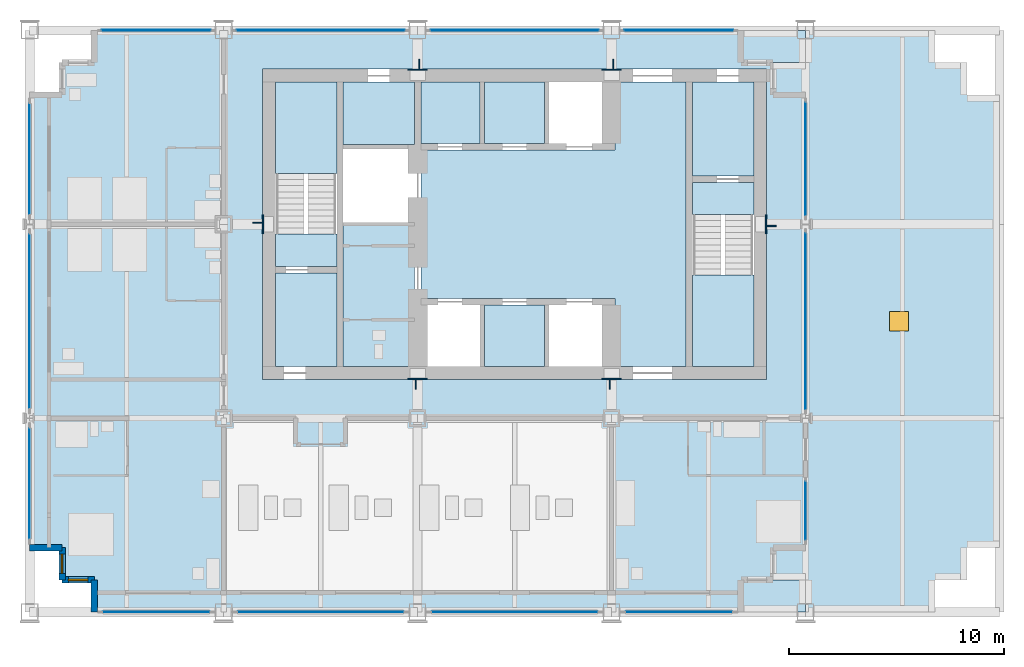
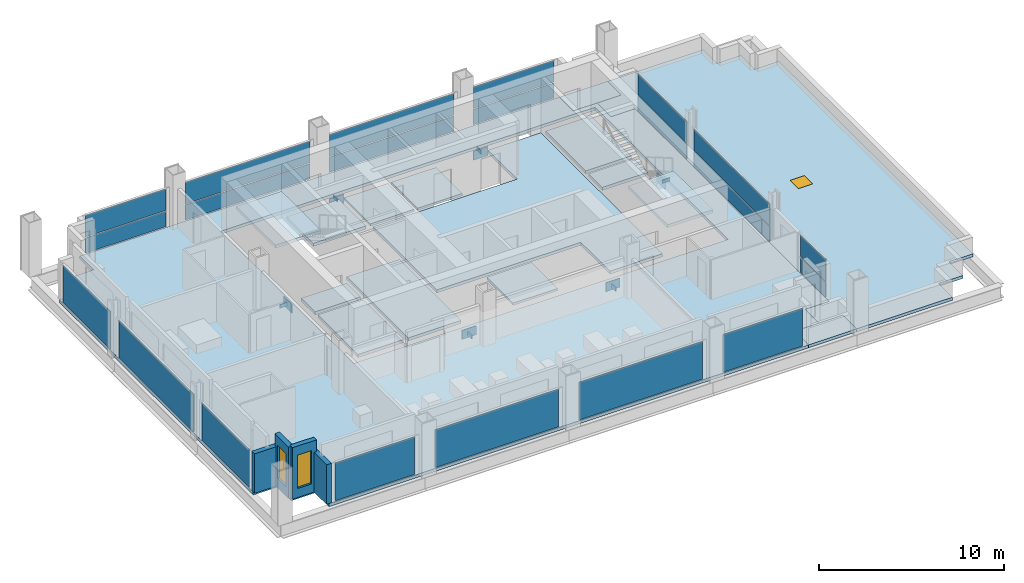
# One storey, part 5 of 12: 33 plates, 16 slabs, 4 walls, 3 windows, 3 openings, 16 elements without a shape of their own.
"""IFC4 building model written with IfcOpenShell, lengths in metres."""

from ifc_helpers import new_model, si_unit, direction, frame, frame_2d, origin, origin_2d, place, context, subcontext, project, spatial, polyline, rectangle, outline, extrude, material, layer, layer_set, type_object, element, fill, aggregate, save


model = new_model("IFC4")

# Units and contexts
model_context = context("Model", 3, precision=1e-05, world=origin(), true_north=direction((0.0, 1.0)))
body_context = subcontext(model_context, "Body", "Model", "MODEL_VIEW")
ifc_project = project(units=[si_unit("LENGTHUNIT", "METRE"), si_unit("AREAUNIT", "SQUARE_METRE"), si_unit("VOLUMEUNIT", "CUBIC_METRE"), si_unit("PLANEANGLEUNIT", "RADIAN"), si_unit("MASSUNIT", "GRAM", prefix="KILO")], contexts=[model_context])

# Site, building, storey
site_placement = place(None, origin())
site = spatial("IfcSite", under=ifc_project, at=site_placement, CompositionType="ELEMENT")
building_placement = place(site_placement, origin())
building = spatial("IfcBuilding", under=site, at=building_placement, Name="Loomwork Tower", CompositionType="ELEMENT")
storey_placement = place(building_placement, frame((0.0, 0.0, 226.60009765625)))
storey = spatial("IfcBuildingStorey", under=building, at=storey_placement, Name="L62", CompositionType="ELEMENT", Elevation=226.60009765625)

# Slabs
ifc_material_1 = material(Name="Concrete 5000 psi (34 MPa) on composite metal deck", Category="concrete")
ifc_layer_1 = layer(ifc_material_1, 0.199951171875)
ifc_layer_set_1 = layer_set([ifc_layer_1], Name="Floor slab 200")
slab_type_1 = type_object("IfcSlabType", Name="Floor slab 200", PredefinedType="FLOOR", material=ifc_layer_set_1)
slab_1_placement = place(storey_placement, frame((0.0, 0.0, -0.2001953125)))
element("IfcSlab", 1, at=slab_1_placement, inside=storey, type_object=slab_type_1, Name="Floor slab L62", PredefinedType="FLOOR", context=body_context, shape_type="SweptSolid", body=[
    extrude(outline(polyline([(3.0, 1.5), (1.5, 1.5), (1.5, 3.0), (0.0, 3.0), (0.0, 24.0), (1.5, 24.0), (1.5, 25.5), (3.0, 25.5), (3.0, 27.0), (33.0, 27.0), (33.0, 25.5), (34.5, 25.5), (34.5, 24.0), (36.0, 24.0), (36.0, 3.0), (34.5, 3.0), (34.5, 1.5), (33.0, 1.5), (33.0, 0.0), (3.0, 0.0), (3.0, 1.5)]), holes=[polyline([(10.800048828125, 11.39990234375), (10.800048828125, 11.39990234375), (10.800048828125, 10.800048828125), (34.199951171875, 10.800048828125), (34.199951171875, 11.39990234375), (34.199951171875, 11.39990234375), (34.199951171875, 24.60009765625), (34.199951171875, 25.199951171875), (10.800048828125, 25.199951171875), (10.800048828125, 24.60009765625), (10.800048828125, 11.39990234375)])]), origin(), (0.0, 0.0, 1.0), 0.2001953125),
])
slab_2_placement = place(storey_placement, frame((0.0, 0.0, -0.2001953125)))
element("IfcSlab", 2, at=slab_2_placement, inside=storey, type_object=slab_type_1, Name="Floor slab L62", PredefinedType="FLOOR", context=body_context, shape_type="SweptSolid", body=[
    extrude(outline(polyline([(30.449951171875, 24.60009765625), (30.449951171875, 11.39990234375), (27.14990234375, 11.39990234375), (27.14990234375, 14.25), (27.14990234375, 14.550048828125), (18.14990234375, 14.550048828125), (18.14990234375, 21.449951171875), (27.14990234375, 21.449951171875), (27.14990234375, 21.75), (27.14990234375, 24.60009765625), (30.449951171875, 24.60009765625)])), origin(), (0.0, 0.0, 1.0), 0.2001953125),
])
slab_3_placement = place(storey_placement, frame((0.0, 0.0, -0.2001953125)))
element("IfcSlab", 3, at=slab_3_placement, inside=storey, type_object=slab_type_1, Name="Floor slab L62", PredefinedType="FLOOR", context=body_context, shape_type="SweptSolid", body=[
    extrude(outline(polyline([(14.550048828125, 11.39990234375), (14.550048828125, 18.074951171875), (17.85009765625, 18.074951171875), (17.85009765625, 11.39990234375), (14.550048828125, 11.39990234375)])), origin(), (0.0, 0.0, 1.0), 0.2001953125),
])
slab_4_placement = place(storey_placement, frame((0.0, 0.0, -0.2001953125)))
element("IfcSlab", 4, at=slab_4_placement, inside=storey, type_object=slab_type_1, Name="Floor slab L62", PredefinedType="FLOOR", context=body_context, shape_type="SweptSolid", body=[
    extrude(outline(polyline([(33.60009765625, 20.25), (30.75, 20.25), (30.75, 24.60009765625), (33.60009765625, 24.60009765625), (33.60009765625, 20.25)])), origin(), (0.0, 0.0, 1.0), 0.2001953125),
])
slab_5_placement = place(storey_placement, frame((0.0, 0.0, -0.2001953125)))
element("IfcSlab", 5, at=slab_5_placement, inside=storey, type_object=slab_type_1, Name="Floor slab L62", PredefinedType="FLOOR", context=body_context, shape_type="SweptSolid", body=[
    extrude(outline(polyline([(14.25, 15.75), (14.25, 11.39990234375), (11.39990234375, 11.39990234375), (11.39990234375, 15.75), (14.25, 15.75)])), origin(), (0.0, 0.0, 1.0), 0.2001953125),
])
slab_6_placement = place(storey_placement, frame((0.0, 0.0, -0.2001953125)))
element("IfcSlab", 6, at=slab_6_placement, inside=storey, type_object=slab_type_1, Name="Floor slab L62", PredefinedType="FLOOR", context=body_context, shape_type="SweptSolid", body=[
    extrude(outline(polyline([(14.550048828125, 21.699951171875), (14.550048828125, 24.60009765625), (17.85009765625, 24.60009765625), (17.85009765625, 21.699951171875), (14.550048828125, 21.699951171875)])), origin(), (0.0, 0.0, 1.0), 0.2001953125),
])

# Curtain wall, plate
ifc_material_2 = material(Name="Aluminium curtain wall frame", Category="aluminium")
curtain_wall_type_1 = type_object("IfcCurtainWallType", Name="Outer skin glazing suites", PredefinedType="NOTDEFINED", material=ifc_material_2)
curtain_wall_1_placement = place(storey_placement, origin())
curtain_wall_1 = element("IfcCurtainWall", 7, at=curtain_wall_1_placement, inside=storey, type_object=curtain_wall_type_1, Name="Outer skin glazing suites cw/S-0", PredefinedType="NOTDEFINED")
ifc_material_3 = material(Name="Clear laminated glass", Category="glass")
ifc_layer_2 = layer(ifc_material_3, 0.02392578125)
ifc_layer_set_2 = layer_set([ifc_layer_2], Name="Outer skin glazing suites panel")
plate_type_1 = type_object("IfcPlateType", Name="Outer skin glazing suites panel", PredefinedType="CURTAIN_PANEL", material=ifc_layer_set_2)
plate_1_placement = place(storey_placement, frame((5.875, 0.0, 0.06494140625), z_axis=(0.0, 0.0, 1.0), x_axis=(1.0, 0.0, 0.0)))
plate_1 = element("IfcPlate", 8, at=plate_1_placement, type_object=plate_type_1, Name="CW2 panel 1.1", PredefinedType="CURTAIN_PANEL", context=body_context, shape_type="SweptSolid", body=[
    extrude(rectangle(XDim=4.949951171875, YDim=0.02392578125, at=origin_2d()), origin(), (0.0, 0.0, 1.0), 2.490234375),
])
aggregate(curtain_wall_1, [plate_1])

curtain_wall_2_placement = place(storey_placement, origin())
curtain_wall_2 = element("IfcCurtainWall", 9, at=curtain_wall_2_placement, inside=storey, type_object=curtain_wall_type_1, Name="Outer skin glazing suites cw/S-9", PredefinedType="NOTDEFINED")
plate_2_placement = place(storey_placement, frame((13.5, 0.0, 0.06494140625), z_axis=(0.0, 0.0, 1.0), x_axis=(1.0, 0.0, 0.0)))
plate_2 = element("IfcPlate", 10, at=plate_2_placement, type_object=plate_type_1, Name="CW2 panel 1.1", PredefinedType="CURTAIN_PANEL", context=body_context, shape_type="SweptSolid", body=[
    extrude(rectangle(XDim=7.699951171875, YDim=0.02392578125, at=origin_2d()), origin(), (0.0, 0.0, 1.0), 2.490234375),
])
aggregate(curtain_wall_2, [plate_2])

curtain_wall_3_placement = place(storey_placement, origin())
curtain_wall_3 = element("IfcCurtainWall", 11, at=curtain_wall_3_placement, inside=storey, type_object=curtain_wall_type_1, Name="Outer skin glazing suites cw/S-18", PredefinedType="NOTDEFINED")
plate_3_placement = place(storey_placement, frame((22.5, 0.0, 0.06494140625), z_axis=(0.0, 0.0, 1.0), x_axis=(1.0, 0.0, 0.0)))
plate_3 = element("IfcPlate", 12, at=plate_3_placement, type_object=plate_type_1, Name="CW2 panel 1.1", PredefinedType="CURTAIN_PANEL", context=body_context, shape_type="SweptSolid", body=[
    extrude(rectangle(XDim=7.699951171875, YDim=0.02392578125, at=origin_2d()), origin(), (0.0, 0.0, 1.0), 2.490234375),
])
aggregate(curtain_wall_3, [plate_3])

curtain_wall_4_placement = place(storey_placement, origin())
curtain_wall_4 = element("IfcCurtainWall", 13, at=curtain_wall_4_placement, inside=storey, type_object=curtain_wall_type_1, Name="Outer skin glazing suites cw/S-27", PredefinedType="NOTDEFINED")
plate_4_placement = place(storey_placement, frame((30.125, 0.0, 0.06494140625), z_axis=(0.0, 0.0, 1.0), x_axis=(1.0, 0.0, 0.0)))
plate_4 = element("IfcPlate", 14, at=plate_4_placement, type_object=plate_type_1, Name="CW2 panel 1.1", PredefinedType="CURTAIN_PANEL", context=body_context, shape_type="SweptSolid", body=[
    extrude(rectangle(XDim=4.949951171875, YDim=0.02392578125, at=origin_2d()), origin(), (0.0, 0.0, 1.0), 2.490234375),
])
aggregate(curtain_wall_4, [plate_4])

curtain_wall_5_placement = place(storey_placement, origin())
curtain_wall_5 = element("IfcCurtainWall", 15, at=curtain_wall_5_placement, inside=storey, type_object=curtain_wall_type_1, Name="Outer skin glazing suites cw/W-0", PredefinedType="NOTDEFINED")
plate_5_placement = place(storey_placement, frame((0.0, 5.969482421875, 0.06494140625), z_axis=(0.0, 0.0, 1.0), x_axis=(0.0, -1.0, 0.0)))
plate_5 = element("IfcPlate", 16, at=plate_5_placement, type_object=plate_type_1, Name="CW2 panel 1.1", PredefinedType="CURTAIN_PANEL", context=body_context, shape_type="SweptSolid", body=[
    extrude(rectangle(XDim=5.13916015625, YDim=0.02392578125, at=origin_2d()), origin(), (0.0, 0.0, 1.0), 2.490234375),
])
aggregate(curtain_wall_5, [plate_5])

curtain_wall_6_placement = place(storey_placement, origin())
curtain_wall_6 = element("IfcCurtainWall", 17, at=curtain_wall_6_placement, inside=storey, type_object=curtain_wall_type_1, Name="Outer skin glazing suites cw/W-9", PredefinedType="NOTDEFINED")
plate_6_placement = place(storey_placement, frame((0.0, 13.5, 0.06494140625), z_axis=(0.0, 0.0, 1.0), x_axis=(0.0, -1.0, 0.0)))
plate_6 = element("IfcPlate", 18, at=plate_6_placement, type_object=plate_type_1, Name="CW2 panel 1.1", PredefinedType="CURTAIN_PANEL", context=body_context, shape_type="SweptSolid", body=[
    extrude(rectangle(XDim=8.078369140625, YDim=0.02392578125, at=origin_2d()), origin(), (0.0, 0.0, 1.0), 2.490234375),
])
aggregate(curtain_wall_6, [plate_6])

curtain_wall_7_placement = place(storey_placement, origin())
curtain_wall_7 = element("IfcCurtainWall", 19, at=curtain_wall_7_placement, inside=storey, type_object=curtain_wall_type_1, Name="Outer skin glazing suites cw/W-18", PredefinedType="NOTDEFINED")
plate_7_placement = place(storey_placement, frame((0.0, 21.030517578125, 0.06494140625), z_axis=(0.0, 0.0, 1.0), x_axis=(0.0, -1.0, 0.0)))
plate_7 = element("IfcPlate", 20, at=plate_7_placement, type_object=plate_type_1, Name="CW2 panel 1.1", PredefinedType="CURTAIN_PANEL", context=body_context, shape_type="SweptSolid", body=[
    extrude(rectangle(XDim=5.13916015625, YDim=0.02392578125, at=origin_2d()), origin(), (0.0, 0.0, 1.0), 2.490234375),
])
aggregate(curtain_wall_7, [plate_7])

# Slabs
ifc_material_4 = material(Name="Concrete 5000 psi (34 MPa) on composite metal deck", Category="concrete")
ifc_layer_3 = layer(ifc_material_4, 0.199951171875)
ifc_layer_set_3 = layer_set([ifc_layer_3], Name="Roof slab 200")
slab_type_2 = type_object("IfcSlabType", Name="Roof slab 200", PredefinedType="ROOF", material=ifc_layer_set_3)
slab_7_placement = place(storey_placement, frame((0.0, 0.0, -0.2001953125)))
element("IfcSlab", 21, at=slab_7_placement, inside=storey, type_object=slab_type_2, Name="Setback roof (maintenance access only) L61 part 1", PredefinedType="ROOF", context=body_context, shape_type="SweptSolid", body=[
    extrude(outline(polyline([(36.0, 0.0), (33.0, 0.0), (33.0, 1.5), (36.0, 1.5), (36.0, 0.0)])), origin(), (0.0, 0.0, 1.0), 0.2001953125),
])
slab_8_placement = place(storey_placement, frame((0.0, 0.0, -0.2001953125)))
element("IfcSlab", 22, at=slab_8_placement, inside=storey, type_object=slab_type_2, Name="Setback roof (maintenance access only) L61 part 2", PredefinedType="ROOF", context=body_context, shape_type="SweptSolid", body=[
    extrude(outline(polyline([(36.0, 25.5), (33.0, 25.5), (33.0, 27.0), (36.0, 27.0), (36.0, 25.5)])), origin(), (0.0, 0.0, 1.0), 0.2001953125),
])

# Slab, opening, window
slab_9_placement = place(storey_placement, frame((0.0, 0.0, -0.2001953125)))
slab_9 = element("IfcSlab", 23, at=slab_9_placement, inside=storey, type_object=slab_type_2, Name="Setback roof (maintenance access only) L61 part 3", PredefinedType="ROOF", context=body_context, shape_type="SweptSolid", body=[
    extrude(outline(polyline([(34.5, 1.5), (34.5, 3.0), (36.0, 3.0), (36.0, 24.0), (34.5, 24.0), (34.5, 25.5), (36.0, 25.5), (36.0, 27.0), (42.0, 27.0), (42.0, 25.5), (43.5, 25.5), (43.5, 24.0), (45.0, 24.0), (45.0, 3.0), (43.5, 3.0), (43.5, 1.5), (42.0, 1.5), (42.0, 0.0), (36.0, 0.0), (36.0, 1.5), (34.5, 1.5)])), origin(), (0.0, 0.0, 1.0), 0.2001953125),
])
opening_1_placement = place(slab_9_placement, frame((40.337890625, 13.5, 0.0)))
opening_1 = element("IfcOpeningElement", 24, at=opening_1_placement, cuts=slab_9, Name="Opening RH1", PredefinedType="OPENING", context=body_context, shape_type="SweptSolid", body=[
    extrude(rectangle(XDim=0.89990234375, YDim=0.89990234375, at=origin_2d()), origin(), (0.0, 0.0, 1.0), 0.2001953125),
])
ifc_material_5 = material(Name="Aluminium hatch with insulated lid", Category="aluminium")
window_type_1 = type_object("IfcWindowType", Name="Roof access hatch 900", PartitioningType="SINGLE_PANEL", PredefinedType="SKYLIGHT", material=ifc_material_5)
window_1_placement = place(opening_1_placement, frame((0.0, 0.0, 0.150146484375)))
window_1 = element("IfcWindow", 25, at=window_1_placement, inside=storey, type_object=window_type_1, Name="Roof access hatch L62", OverallHeight=0.89990234375, OverallWidth=0.89990234375, PartitioningType="SINGLE_PANEL", PredefinedType="SKYLIGHT", context=body_context, shape_type="SweptSolid", body=[
    extrude(rectangle(XDim=0.89990234375, YDim=0.89990234375, at=origin_2d()), origin(), (0.0, 0.0, 1.0), 0.050048828125),
])
fill(opening_1, window_1)

# Slabs
ifc_material_6 = material(Name="Concrete 5000 psi (34 MPa) on composite metal deck", Category="concrete")
ifc_layer_4 = layer(ifc_material_6, 0.14990234375)
ifc_layer_set_4 = layer_set([ifc_layer_4], Name="Shaft infill floor 150")
slab_type_3 = type_object("IfcSlabType", Name="Shaft infill floor 150", PredefinedType="FLOOR", material=ifc_layer_set_4)
slab_10_placement = place(storey_placement, frame((0.0, 0.0, -0.150146484375)))
element("IfcSlab", 26, at=slab_10_placement, inside=storey, type_object=slab_type_3, Name="Shaft infill floor LS1 L62", PredefinedType="FLOOR", context=body_context, shape_type="SweptSolid", body=[
    extrude(outline(polyline([(18.14990234375, 21.75), (20.89990234375, 21.75), (20.89990234375, 24.60009765625), (18.14990234375, 24.60009765625), (18.14990234375, 21.75)])), origin(), (0.0, 0.0, 1.0), 0.150146484375),
])
slab_11_placement = place(storey_placement, frame((0.0, 0.0, -0.150146484375)))
element("IfcSlab", 27, at=slab_11_placement, inside=storey, type_object=slab_type_3, Name="Shaft infill floor LS2 L62", PredefinedType="FLOOR", context=body_context, shape_type="SweptSolid", body=[
    extrude(outline(polyline([(21.10009765625, 21.75), (23.89990234375, 21.75), (23.89990234375, 24.60009765625), (21.10009765625, 24.60009765625), (21.10009765625, 21.75)])), origin(), (0.0, 0.0, 1.0), 0.150146484375),
])
slab_12_placement = place(storey_placement, frame((0.0, 0.0, -0.150146484375)))
element("IfcSlab", 28, at=slab_12_placement, inside=storey, type_object=slab_type_3, Name="Shaft infill floor S2 L62", PredefinedType="FLOOR", context=body_context, shape_type="SweptSolid", body=[
    extrude(outline(polyline([(21.10009765625, 11.39990234375), (23.89990234375, 11.39990234375), (23.89990234375, 14.25), (21.10009765625, 14.25), (21.10009765625, 11.39990234375)])), origin(), (0.0, 0.0, 1.0), 0.150146484375),
])

# Curtain wall, plates
ifc_material_7 = material(Name="Aluminium curtain wall frame", Category="aluminium")
curtain_wall_type_2 = type_object("IfcCurtainWallType", Name="Single skin glazing corridor", PredefinedType="NOTDEFINED", material=ifc_material_7)
curtain_wall_8_placement = place(storey_placement, origin())
curtain_wall_8 = element("IfcCurtainWall", 29, at=curtain_wall_8_placement, inside=storey, type_object=curtain_wall_type_2, Name="Single skin glazing corridor cw/N-0", PredefinedType="NOTDEFINED")
ifc_material_8 = material(Name="Clear insulated glass", Category="glass")
ifc_layer_5 = layer(ifc_material_8, 0.031982421875)
ifc_layer_set_5 = layer_set([ifc_layer_5], Name="Single skin glazing corridor panel")
plate_type_2 = type_object("IfcPlateType", Name="Single skin glazing corridor panel", PredefinedType="CURTAIN_PANEL", material=ifc_layer_set_5)
plate_8_placement = place(storey_placement, frame((5.875, 27.0, 0.06494140625), z_axis=(0.0, 0.0, 1.0), x_axis=(-1.0, 0.0, 0.0)))
plate_8 = element("IfcPlate", 30, at=plate_8_placement, type_object=plate_type_2, Name="CW3 panel 1.1", PredefinedType="CURTAIN_PANEL", context=body_context, shape_type="SweptSolid", body=[
    extrude(rectangle(XDim=5.050048828125, YDim=0.031982421875, at=origin_2d()), origin(), (0.0, 0.0, 1.0), 1.00244140625),
])
plate_9_placement = place(storey_placement, frame((5.875, 27.0, 1.13232421875), z_axis=(0.0, 0.0, 1.0), x_axis=(-1.0, 0.0, 0.0)))
plate_9 = element("IfcPlate", 31, at=plate_9_placement, type_object=plate_type_2, Name="CW3 panel 1.2", PredefinedType="CURTAIN_PANEL", context=body_context, shape_type="SweptSolid", body=[
    extrude(rectangle(XDim=5.050048828125, YDim=0.031982421875, at=origin_2d()), origin(), (0.0, 0.0, 1.0), 1.422607421875),
])
aggregate(curtain_wall_8, [plate_8, plate_9])

curtain_wall_9_placement = place(storey_placement, origin())
curtain_wall_9 = element("IfcCurtainWall", 32, at=curtain_wall_9_placement, inside=storey, type_object=curtain_wall_type_2, Name="Single skin glazing corridor cw/N-9", PredefinedType="NOTDEFINED")
plate_10_placement = place(storey_placement, frame((13.5, 27.0, 0.06494140625), z_axis=(0.0, 0.0, 1.0), x_axis=(-1.0, 0.0, 0.0)))
plate_10 = element("IfcPlate", 33, at=plate_10_placement, type_object=plate_type_2, Name="CW3 panel 1.1", PredefinedType="CURTAIN_PANEL", context=body_context, shape_type="SweptSolid", body=[
    extrude(rectangle(XDim=7.800048828125, YDim=0.031982421875, at=origin_2d()), origin(), (0.0, 0.0, 1.0), 1.00244140625),
])
plate_11_placement = place(storey_placement, frame((13.5, 27.0, 1.13232421875), z_axis=(0.0, 0.0, 1.0), x_axis=(-1.0, 0.0, 0.0)))
plate_11 = element("IfcPlate", 34, at=plate_11_placement, type_object=plate_type_2, Name="CW3 panel 1.2", PredefinedType="CURTAIN_PANEL", context=body_context, shape_type="SweptSolid", body=[
    extrude(rectangle(XDim=7.800048828125, YDim=0.031982421875, at=origin_2d()), origin(), (0.0, 0.0, 1.0), 1.422607421875),
])
aggregate(curtain_wall_9, [plate_10, plate_11])

curtain_wall_10_placement = place(storey_placement, origin())
curtain_wall_10 = element("IfcCurtainWall", 35, at=curtain_wall_10_placement, inside=storey, type_object=curtain_wall_type_2, Name="Single skin glazing corridor cw/N-18", PredefinedType="NOTDEFINED")
plate_12_placement = place(storey_placement, frame((22.5, 27.0, 0.06494140625), z_axis=(0.0, 0.0, 1.0), x_axis=(-1.0, 0.0, 0.0)))
plate_12 = element("IfcPlate", 36, at=plate_12_placement, type_object=plate_type_2, Name="CW3 panel 1.1", PredefinedType="CURTAIN_PANEL", context=body_context, shape_type="SweptSolid", body=[
    extrude(rectangle(XDim=7.800048828125, YDim=0.031982421875, at=origin_2d()), origin(), (0.0, 0.0, 1.0), 1.00244140625),
])
plate_13_placement = place(storey_placement, frame((22.5, 27.0, 1.13232421875), z_axis=(0.0, 0.0, 1.0), x_axis=(-1.0, 0.0, 0.0)))
plate_13 = element("IfcPlate", 37, at=plate_13_placement, type_object=plate_type_2, Name="CW3 panel 1.2", PredefinedType="CURTAIN_PANEL", context=body_context, shape_type="SweptSolid", body=[
    extrude(rectangle(XDim=7.800048828125, YDim=0.031982421875, at=origin_2d()), origin(), (0.0, 0.0, 1.0), 1.422607421875),
])
aggregate(curtain_wall_10, [plate_12, plate_13])

curtain_wall_11_placement = place(storey_placement, origin())
curtain_wall_11 = element("IfcCurtainWall", 38, at=curtain_wall_11_placement, inside=storey, type_object=curtain_wall_type_2, Name="Single skin glazing corridor cw/N-27", PredefinedType="NOTDEFINED")
plate_14_placement = place(storey_placement, frame((30.125, 27.0, 0.06494140625), z_axis=(0.0, 0.0, 1.0), x_axis=(-1.0, 0.0, 0.0)))
plate_14 = element("IfcPlate", 39, at=plate_14_placement, type_object=plate_type_2, Name="CW3 panel 1.1", PredefinedType="CURTAIN_PANEL", context=body_context, shape_type="SweptSolid", body=[
    extrude(rectangle(XDim=5.050048828125, YDim=0.031982421875, at=origin_2d()), origin(), (0.0, 0.0, 1.0), 1.00244140625),
])
plate_15_placement = place(storey_placement, frame((30.125, 27.0, 1.13232421875), z_axis=(0.0, 0.0, 1.0), x_axis=(-1.0, 0.0, 0.0)))
plate_15 = element("IfcPlate", 40, at=plate_15_placement, type_object=plate_type_2, Name="CW3 panel 1.2", PredefinedType="CURTAIN_PANEL", context=body_context, shape_type="SweptSolid", body=[
    extrude(rectangle(XDim=5.050048828125, YDim=0.031982421875, at=origin_2d()), origin(), (0.0, 0.0, 1.0), 1.422607421875),
])
aggregate(curtain_wall_11, [plate_14, plate_15])

curtain_wall_12_placement = place(storey_placement, origin())
curtain_wall_12 = element("IfcCurtainWall", 41, at=curtain_wall_12_placement, inside=storey, type_object=curtain_wall_type_2, Name="Single skin glazing corridor cw/E-0", PredefinedType="NOTDEFINED")
plate_16_placement = place(storey_placement, frame((36.0, 4.699951171875, 0.06494140625), z_axis=(0.0, 0.0, 1.0), x_axis=(0.0, 1.0, 0.0)))
plate_16 = element("IfcPlate", 42, at=plate_16_placement, type_object=plate_type_2, Name="CW3 panel 1.1", PredefinedType="CURTAIN_PANEL", context=body_context, shape_type="SweptSolid", body=[
    extrude(rectangle(XDim=2.699951171875, YDim=0.031982421875, at=origin_2d()), origin(), (0.0, 0.0, 1.0), 1.00244140625),
])
plate_17_placement = place(storey_placement, frame((36.0, 4.699951171875, 1.13232421875), z_axis=(0.0, 0.0, 1.0), x_axis=(0.0, 1.0, 0.0)))
plate_17 = element("IfcPlate", 43, at=plate_17_placement, type_object=plate_type_2, Name="CW3 panel 1.2", PredefinedType="CURTAIN_PANEL", context=body_context, shape_type="SweptSolid", body=[
    extrude(rectangle(XDim=2.699951171875, YDim=0.031982421875, at=origin_2d()), origin(), (0.0, 0.0, 1.0), 1.422607421875),
])
aggregate(curtain_wall_12, [plate_16, plate_17])

curtain_wall_13_placement = place(storey_placement, origin())
curtain_wall_13 = element("IfcCurtainWall", 44, at=curtain_wall_13_placement, inside=storey, type_object=curtain_wall_type_2, Name="Single skin glazing corridor cw/E-9", PredefinedType="NOTDEFINED")
plate_18_placement = place(storey_placement, frame((36.0, 13.5, 0.06494140625), z_axis=(0.0, 0.0, 1.0), x_axis=(0.0, 1.0, 0.0)))
plate_18 = element("IfcPlate", 45, at=plate_18_placement, type_object=plate_type_2, Name="CW3 panel 1.1", PredefinedType="CURTAIN_PANEL", context=body_context, shape_type="SweptSolid", body=[
    extrude(rectangle(XDim=8.178466796875, YDim=0.031982421875, at=origin_2d()), origin(), (0.0, 0.0, 1.0), 1.00244140625),
])
plate_19_placement = place(storey_placement, frame((36.0, 13.5, 1.13232421875), z_axis=(0.0, 0.0, 1.0), x_axis=(0.0, 1.0, 0.0)))
plate_19 = element("IfcPlate", 46, at=plate_19_placement, type_object=plate_type_2, Name="CW3 panel 1.2", PredefinedType="CURTAIN_PANEL", context=body_context, shape_type="SweptSolid", body=[
    extrude(rectangle(XDim=8.178466796875, YDim=0.031982421875, at=origin_2d()), origin(), (0.0, 0.0, 1.0), 1.422607421875),
])
aggregate(curtain_wall_13, [plate_18, plate_19])

curtain_wall_14_placement = place(storey_placement, origin())
curtain_wall_14 = element("IfcCurtainWall", 47, at=curtain_wall_14_placement, inside=storey, type_object=curtain_wall_type_2, Name="Single skin glazing corridor cw/E-18", PredefinedType="NOTDEFINED")
plate_20_placement = place(storey_placement, frame((36.0, 21.030517578125, 0.06494140625), z_axis=(0.0, 0.0, 1.0), x_axis=(0.0, 1.0, 0.0)))
plate_20 = element("IfcPlate", 48, at=plate_20_placement, type_object=plate_type_2, Name="CW3 panel 1.1", PredefinedType="CURTAIN_PANEL", context=body_context, shape_type="SweptSolid", body=[
    extrude(rectangle(XDim=5.2392578125, YDim=0.031982421875, at=origin_2d()), origin(), (0.0, 0.0, 1.0), 1.00244140625),
])
plate_21_placement = place(storey_placement, frame((36.0, 21.030517578125, 1.13232421875), z_axis=(0.0, 0.0, 1.0), x_axis=(0.0, 1.0, 0.0)))
plate_21 = element("IfcPlate", 49, at=plate_21_placement, type_object=plate_type_2, Name="CW3 panel 1.2", PredefinedType="CURTAIN_PANEL", context=body_context, shape_type="SweptSolid", body=[
    extrude(rectangle(XDim=5.2392578125, YDim=0.031982421875, at=origin_2d()), origin(), (0.0, 0.0, 1.0), 1.422607421875),
])
aggregate(curtain_wall_14, [plate_20, plate_21])

# Stair, slabs
ifc_material_9 = material(Name="Concrete 5000 psi (34 MPa) precast stair", Category="concrete")
stair_type_1 = type_object("IfcStairType", Name="Stair ST-A 22 risers 2850 wide", PredefinedType="HALF_TURN_STAIR", material=ifc_material_9)
stair_1_placement = place(storey_placement, origin())
stair_1 = element("IfcStair", 50, at=stair_1_placement, inside=storey, type_object=stair_type_1, Name="Stair A L62", PredefinedType="HALF_TURN_STAIR")
ifc_material_10 = material(Name="Concrete 5000 psi (34 MPa)", Category="concrete")
ifc_layer_6 = layer(ifc_material_10, 0.199951171875)
ifc_layer_set_6 = layer_set([ifc_layer_6], Name="Stair landing 200")
slab_type_4 = type_object("IfcSlabType", Name="Stair landing 200", PredefinedType="LANDING", material=ifc_layer_set_6)
slab_13_placement = place(storey_placement, frame((0.0, 0.0, -0.2001953125)))
slab_13 = element("IfcSlab", 51, at=slab_13_placement, type_object=slab_type_4, Name="ST-A landing 1", PredefinedType="LANDING", context=body_context, shape_type="SweptSolid", body=[
    extrude(outline(polyline([(11.39990234375, 16.050048828125), (14.25, 16.050048828125), (14.25, 17.550048828125), (11.39990234375, 17.550048828125), (11.39990234375, 16.050048828125)])), origin(), (0.0, 0.0, 1.0), 0.2001953125),
])
slab_14_placement = place(storey_placement, frame((0.0, 0.0, 1.599853515625)))
slab_14 = element("IfcSlab", 52, at=slab_14_placement, type_object=slab_type_4, Name="ST-A landing 2", PredefinedType="LANDING", context=body_context, shape_type="SweptSolid", body=[
    extrude(outline(polyline([(11.39990234375, 20.35009765625), (14.25, 20.35009765625), (14.25, 24.60009765625), (11.39990234375, 24.60009765625), (11.39990234375, 20.35009765625)])), origin(), (0.0, 0.0, 1.0), 0.199951171875),
])
aggregate(stair_1, [slab_13, slab_14])

ifc_material_11 = material(Name="Concrete 5000 psi (34 MPa) precast stair", Category="concrete")
stair_type_2 = type_object("IfcStairType", Name="Stair ST-B 22 risers 2850 wide", PredefinedType="HALF_TURN_STAIR", material=ifc_material_11)
stair_2_placement = place(storey_placement, origin())
stair_2 = element("IfcStair", 53, at=stair_2_placement, inside=storey, type_object=stair_type_2, Name="Stair B L62", PredefinedType="HALF_TURN_STAIR")
slab_15_placement = place(storey_placement, frame((0.0, 0.0, -0.2001953125)))
slab_15 = element("IfcSlab", 54, at=slab_15_placement, type_object=slab_type_4, Name="ST-B landing 1", PredefinedType="LANDING", context=body_context, shape_type="SweptSolid", body=[
    extrude(outline(polyline([(30.75, 18.449951171875), (33.60009765625, 18.449951171875), (33.60009765625, 19.949951171875), (30.75, 19.949951171875), (30.75, 18.449951171875)])), origin(), (0.0, 0.0, 1.0), 0.2001953125),
])
slab_16_placement = place(storey_placement, frame((0.0, 0.0, 1.599853515625)))
slab_16 = element("IfcSlab", 55, at=slab_16_placement, type_object=slab_type_4, Name="ST-B landing 2", PredefinedType="LANDING", context=body_context, shape_type="SweptSolid", body=[
    extrude(outline(polyline([(30.75, 11.39990234375), (33.60009765625, 11.39990234375), (33.60009765625, 15.64990234375), (30.75, 15.64990234375), (30.75, 11.39990234375)])), origin(), (0.0, 0.0, 1.0), 0.199951171875),
])
aggregate(stair_2, [slab_15, slab_16])

# Plates
ifc_material_12 = material(Name="Steel ASTM A572 Grade 50 plate", Category="steel")
ifc_layer_7 = layer(ifc_material_12, 0.06005859375)
ifc_layer_set_7 = layer_set([ifc_layer_7], Name="OUTRIGGER CAST-IN CORE PLATE 60")
plate_type_3 = type_object("IfcPlateType", Name="OUTRIGGER CAST-IN CORE PLATE 60", PredefinedType="SHEET", material=ifc_layer_set_7)
for number, where, z_axis, x_axis, name in (
    (56, (34.169921875, 18.0, -0.794921875), (0.0, 0.0, 1.0), (0.0, 1.0, 0.0), "Outrigger cast-in core plate 36,18-33.9,18 L62"),
    (57, (27.0, 10.830078125, -0.794921875), (0.0, 0.0, 1.0), (1.0, 0.0, 0.0), "Outrigger cast-in core plate 27,9-27,11.1 L62"),
    (58, (27.0, 25.169921875, -0.794921875), (0.0, 0.0, 1.0), (1.0, 0.0, 0.0), "Outrigger cast-in core plate 27,27-27,24.9 L62"),
    (59, (18.0, 10.830078125, -0.794921875), (0.0, 0.0, 1.0), (1.0, 0.0, 0.0), "Outrigger cast-in core plate 18,9-18,11.1 L62"),
    (60, (18.0, 25.169921875, -0.794921875), (0.0, 0.0, 1.0), (1.0, 0.0, 0.0), "Outrigger cast-in core plate 18,27-18,24.9 L62"),
    (61, (10.830078125, 18.0, -0.794921875), (0.0, 0.0, 1.0), (0.0, 1.0, 0.0), "Outrigger cast-in core plate 9,18-11.1,18 L62"),
):
    element("IfcPlate", number, at=place(storey_placement, frame(where, z_axis=z_axis, x_axis=x_axis)), inside=storey, type_object=plate_type_3, Name=name, PredefinedType="SHEET", context=body_context, shape_type="SweptSolid", body=[
        extrude(rectangle(XDim=0.89990234375, YDim=0.06005859375, at=origin_2d()), origin(), (0.0, 0.0, 1.0), 0.590087890625),
    ])
ifc_material_13 = material(Name="Steel ASTM A572 Grade 50 plate", Category="steel")
ifc_layer_8 = layer(ifc_material_13, 0.050048828125)
ifc_layer_set_8 = layer_set([ifc_layer_8], Name="OUTRIGGER SHEAR PLATE 50")
plate_type_4 = type_object("IfcPlateType", Name="OUTRIGGER SHEAR PLATE 50", PredefinedType="SHEET", material=ifc_layer_set_8)
for number, where, z_axis, x_axis, name in (
    (62, (34.424560546875, 17.922119140625, -0.61962890625), (0.0, 0.0, 1.0), (1.0, 0.0, 0.0), "Outrigger shear plate 36,18-33.9,18 L62"),
    (63, (26.922119140625, 10.575439453125, -0.61962890625), (0.0, 0.0, 1.0), (0.0, 1.0, 0.0), "Outrigger shear plate 27,9-27,11.1 L62"),
    (64, (27.077880859375, 25.424560546875, -0.61962890625), (0.0, 0.0, 1.0), (0.0, 1.0, 0.0), "Outrigger shear plate 27,27-27,24.9 L62"),
    (65, (17.922119140625, 10.575439453125, -0.61962890625), (0.0, 0.0, 1.0), (0.0, 1.0, 0.0), "Outrigger shear plate 18,9-18,11.1 L62"),
    (66, (18.077880859375, 25.424560546875, -0.61962890625), (0.0, 0.0, 1.0), (0.0, 1.0, 0.0), "Outrigger shear plate 18,27-18,24.9 L62"),
    (67, (10.575439453125, 18.077880859375, -0.61962890625), (0.0, 0.0, 1.0), (1.0, 0.0, 0.0), "Outrigger shear plate 9,18-11.1,18 L62"),
):
    element("IfcPlate", number, at=place(storey_placement, frame(where, z_axis=z_axis, x_axis=x_axis)), inside=storey, type_object=plate_type_4, Name=name, PredefinedType="SHEET", context=body_context, shape_type="SweptSolid", body=[
        extrude(rectangle(XDim=0.449951171875, YDim=0.050048828125, at=origin_2d()), origin(), (0.0, 0.0, 1.0), 0.239990234375),
    ])

# Wall
ifc_material_14 = material(Name="Limestone on concrete masonry", Category="masonry")
ifc_layer_9 = layer(ifc_material_14, 0.300048828125)
ifc_layer_set_9 = layer_set([ifc_layer_9], Name="Limestone corner wall 300")
wall_type = type_object("IfcWallType", Name="Limestone corner wall 300", PredefinedType="SOLIDWALL", material=ifc_layer_set_9)
wall_1_placement = place(storey_placement, frame((0.0, 3.0, 0.0), z_axis=(0.0, 0.0, 1.0), x_axis=(1.0, 0.0, 0.0)))
element("IfcWall", 68, at=wall_1_placement, inside=storey, type_object=wall_type, Name="Stone corner wall SW 1", PredefinedType="SOLIDWALL", context=body_context, shape_type="SweptSolid", body=[
    extrude(rectangle(XDim=1.5, YDim=0.300048828125, at=frame_2d((0.75, 0.0))), origin(), (0.0, 0.0, 1.0), 2.619873046875),
])

# Wall, opening, window
wall_2_placement = place(storey_placement, frame((1.5, 3.0, 0.0), z_axis=(0.0, 0.0, 1.0), x_axis=(0.0, -1.0, 0.0)))
wall_2 = element("IfcWall", 69, at=wall_2_placement, inside=storey, type_object=wall_type, Name="Stone corner wall SW 2", PredefinedType="SOLIDWALL", context=body_context, shape_type="SweptSolid", body=[
    extrude(rectangle(XDim=1.5, YDim=0.300048828125, at=frame_2d((0.75, 0.0))), origin(), (0.0, 0.0, 1.0), 3.39990234375),
])
opening_2_placement = place(wall_2_placement, frame((0.300048828125, 0.0, 0.60009765625)))
opening_2 = element("IfcOpeningElement", 70, at=opening_2_placement, cuts=wall_2, Name="Opening CH2", PredefinedType="OPENING", context=body_context, shape_type="SweptSolid", body=[
    extrude(rectangle(XDim=0.89990234375, YDim=2.199951171875, at=frame_2d((0.449951171875, 1.10009765625))), frame((0.0, 0.159912109375, 0.0), z_axis=(0.0, -1.0, 0.0), x_axis=(1.0, 0.0, 0.0)), (0.0, 0.0, 1.0), 0.320068359375),
])
ifc_material_15 = material(Name="Aluminium frame with clear insulated glass", Category="aluminium")
window_type_2 = type_object("IfcWindowType", Name="Corner window 900", PartitioningType="SINGLE_PANEL", PredefinedType="WINDOW", material=ifc_material_15)
window_2_placement = place(opening_2_placement, origin())
window_2 = element("IfcWindow", 71, at=window_2_placement, inside=storey, type_object=window_type_2, Name="Corner window SW", OverallHeight=2.199951171875, OverallWidth=0.89990234375, PartitioningType="SINGLE_PANEL", PredefinedType="WINDOW", context=body_context, shape_type="SweptSolid", body=[
    extrude(rectangle(XDim=0.89990234375, YDim=2.199951171875, at=frame_2d((0.449951171875, 1.10009765625))), frame((0.0, 0.030029296875, 0.0), z_axis=(0.0, -1.0, 0.0), x_axis=(1.0, 0.0, 0.0)), (0.0, 0.0, 1.0), 0.06005859375),
])
fill(opening_2, window_2)

wall_3_placement = place(storey_placement, frame((1.5, 1.5, 0.0), z_axis=(0.0, 0.0, 1.0), x_axis=(1.0, 0.0, 0.0)))
wall_3 = element("IfcWall", 72, at=wall_3_placement, inside=storey, type_object=wall_type, Name="Stone corner wall SW 3", PredefinedType="SOLIDWALL", context=body_context, shape_type="SweptSolid", body=[
    extrude(rectangle(XDim=1.5, YDim=0.300048828125, at=frame_2d((0.75, 0.0))), origin(), (0.0, 0.0, 1.0), 3.39990234375),
])
opening_3_placement = place(wall_3_placement, frame((0.300048828125, 0.0, 0.60009765625)))
opening_3 = element("IfcOpeningElement", 73, at=opening_3_placement, cuts=wall_3, Name="Opening CH2", PredefinedType="OPENING", context=body_context, shape_type="SweptSolid", body=[
    extrude(rectangle(XDim=0.89990234375, YDim=2.199951171875, at=frame_2d((0.449951171875, 1.10009765625))), frame((0.0, 0.159912109375, 0.0), z_axis=(0.0, -1.0, 0.0), x_axis=(1.0, 0.0, 0.0)), (0.0, 0.0, 1.0), 0.320068359375),
])
window_3_placement = place(opening_3_placement, origin())
window_3 = element("IfcWindow", 74, at=window_3_placement, inside=storey, type_object=window_type_2, Name="Corner window SW", OverallHeight=2.199951171875, OverallWidth=0.89990234375, PartitioningType="SINGLE_PANEL", PredefinedType="WINDOW", context=body_context, shape_type="SweptSolid", body=[
    extrude(rectangle(XDim=0.89990234375, YDim=2.199951171875, at=frame_2d((0.449951171875, 1.10009765625))), frame((0.0, 0.030029296875, 0.0), z_axis=(0.0, -1.0, 0.0), x_axis=(1.0, 0.0, 0.0)), (0.0, 0.0, 1.0), 0.06005859375),
])
fill(opening_3, window_3)

# Wall
wall_4_placement = place(storey_placement, frame((3.0, 1.5, 0.0), z_axis=(0.0, 0.0, 1.0), x_axis=(0.0, -1.0, 0.0)))
element("IfcWall", 75, at=wall_4_placement, inside=storey, type_object=wall_type, Name="Stone corner wall SW 4", PredefinedType="SOLIDWALL", context=body_context, shape_type="SweptSolid", body=[
    extrude(rectangle(XDim=1.5, YDim=0.300048828125, at=frame_2d((0.75, 0.0))), origin(), (0.0, 0.0, 1.0), 2.619873046875),
])

save(model, "model.ifc")
